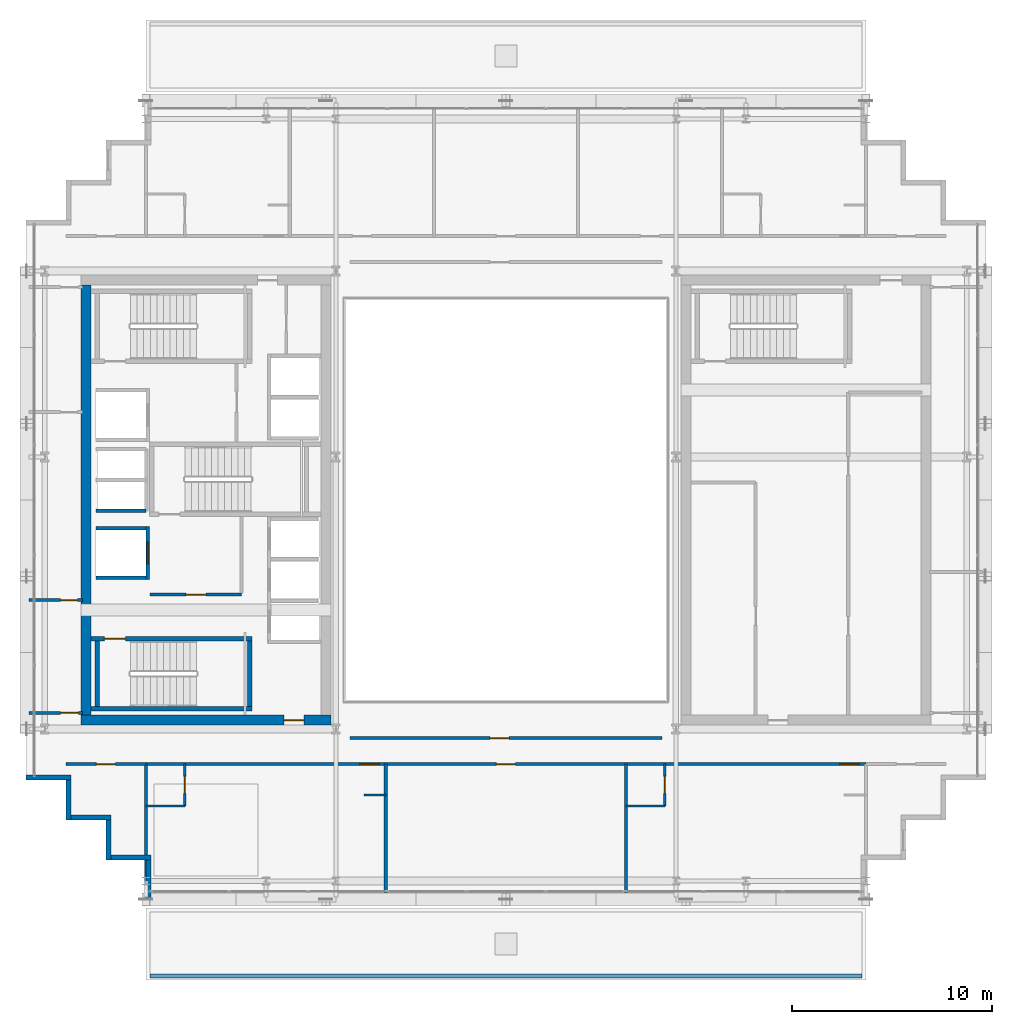
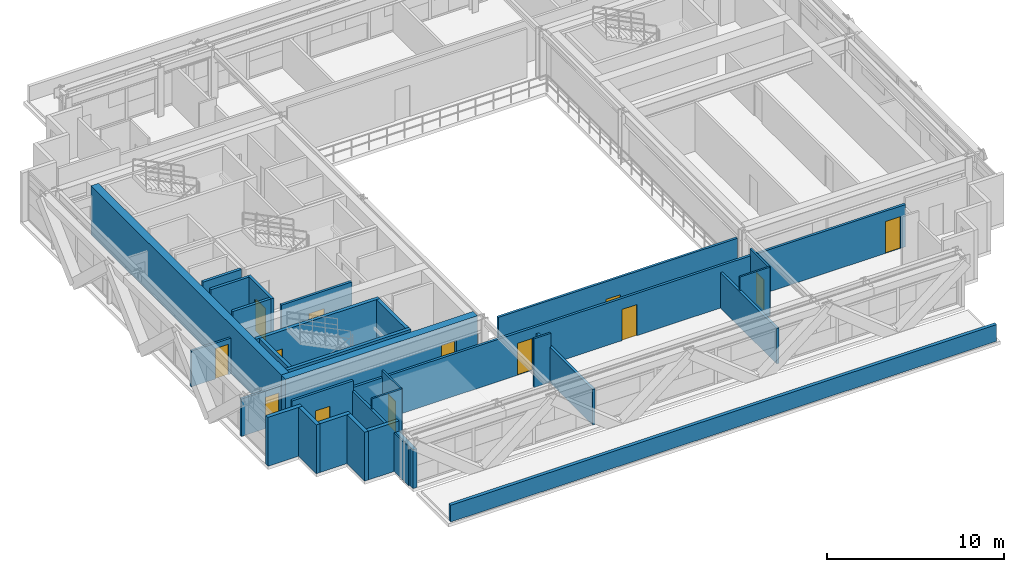
# One storey, part 27 of 34: 31 walls, 13 doors, 13 openings.
"""IFC4 building model written with IfcOpenShell, lengths in metres."""

from ifc_helpers import new_model, si_unit, direction, frame, frame_2d, origin, place, context, subcontext, project, spatial, rectangle, extrude, source, transform, mapped, material, layer, layer_set, type_object, element, fill, save


model = new_model("IFC4")

# Units and contexts
model_context = context("Model", 3, precision=1e-05, world=origin(), true_north=direction((0.0, 1.0)))
body_context = subcontext(model_context, "Body", "Model", "MODEL_VIEW")
ifc_project = project(units=[si_unit("LENGTHUNIT", "METRE"), si_unit("AREAUNIT", "SQUARE_METRE"), si_unit("VOLUMEUNIT", "CUBIC_METRE"), si_unit("PLANEANGLEUNIT", "RADIAN"), si_unit("MASSUNIT", "GRAM", prefix="KILO")], contexts=[model_context])

# Site, building, storey
site_placement = place(None, origin())
site = spatial("IfcSite", under=ifc_project, at=site_placement, CompositionType="ELEMENT")
building_placement = place(site_placement, origin())
building = spatial("IfcBuilding", under=site, at=building_placement, Name="Ocotamira Hotel", CompositionType="ELEMENT")
storey_placement = place(building_placement, frame((0.0, 0.0, 163.199951171875)))
storey = spatial("IfcBuildingStorey", under=building, at=storey_placement, Name="L40", CompositionType="ELEMENT", Elevation=163.199951171875)

# Wall, opening, door
ifc_material_1 = material(Name="Concrete C50/60", Category="concrete")
ifc_layer_1 = layer(ifc_material_1, 0.5)
ifc_layer_set_1 = layer_set([ifc_layer_1], Name="Concrete C50/60")
wall_type_1 = type_object("IfcWallType", Name="WL-CORE-500", PredefinedType="SHEAR", material=ifc_layer_set_1)
wall_1_placement = place(storey_placement, frame((10.75, 15.0, 0.0), z_axis=(0.0, 0.0, 1.0), x_axis=(1.0, 0.0, 0.0)))
wall_1 = element("IfcWall", 1, at=wall_1_placement, inside=storey, type_object=wall_type_1, Name="L40 Shear Core Wall WCORE-S", PredefinedType="SHEAR", context=body_context, shape_type="SweptSolid", body=[
    extrude(rectangle(XDim=12.5, YDim=0.5, at=frame_2d((6.25, 0.0))), origin(), (0.0, 0.0, 1.0), 3.3701171875),
])
opening_1_placement = place(wall_1_placement, frame((10.14990234375, 0.0, 0.0)))
opening_1 = element("IfcOpeningElement", 2, at=opening_1_placement, cuts=wall_1, Name="Opening D-FR2", PredefinedType="OPENING", context=body_context, shape_type="SweptSolid", body=[
    extrude(rectangle(XDim=1.0, YDim=2.14990234375, at=frame_2d((0.5, 1.074951171875))), frame((0.0, 0.260009765625, 0.0), z_axis=(0.0, -1.0, 0.0), x_axis=(1.0, 0.0, 0.0)), (0.0, 0.0, 1.0), 0.52001953125),
])
ifc_material_2 = material(Name="Fire-rated acoustic timber-veneer door", Category="wood")
door_type_1 = type_object("IfcDoorType", Name="DR-FIRE-1000", OperationType="NOTDEFINED", PredefinedType="DOOR", material=ifc_material_2)
shared_shape_1 = source(origin(), body_context, "Body", "SweptSolid", [
    extrude(rectangle(XDim=1.0, YDim=2.14990234375, at=frame_2d((0.5, 1.074951171875))), frame((0.0, 0.02490234375, 0.0), z_axis=(0.0, -1.0, 0.0), x_axis=(1.0, 0.0, 0.0)), (0.0, 0.0, 1.0), 0.050048828125),
])
door_1_placement = place(opening_1_placement, origin())
door_1 = element("IfcDoor", 3, at=door_1_placement, inside=storey, type_object=door_type_1, Name="L40 Door ID-L40-WLOB-S-D [ID-L40-WLOB-S-D]", OperationType="SINGLE_SWING_LEFT", OverallHeight=2.14990234375, OverallWidth=1.0, PredefinedType="DOOR", context=body_context, shape_type="MappedRepresentation", body=[
    mapped(shared_shape_1, transform((0.0, 0.0, 0.0), scale=1.0)),
])
fill(opening_1, door_1)

# Walls
wall_2_placement = place(storey_placement, frame((11.0, 15.25, 0.0), z_axis=(0.0, 0.0, 1.0), x_axis=(0.0, 1.0, 0.0)))
element("IfcWall", 4, at=wall_2_placement, inside=storey, type_object=wall_type_1, Name="L40 Shear Core Wall WCORE-W", PredefinedType="SHEAR", context=body_context, shape_type="SweptSolid", body=[
    extrude(rectangle(XDim=21.5, YDim=0.5, at=frame_2d((10.75, 0.0))), origin(), (0.0, 0.0, 1.0), 3.3701171875),
])
ifc_material_3 = material(Name="Precast concrete C45/55", Category="concrete")
ifc_layer_2 = layer(ifc_material_3, 0.25)
ifc_layer_set_2 = layer_set([ifc_layer_2], Name="Precast concrete C45/55")
wall_type_2 = type_object("IfcWallType", Name="WL-EXT-SER-250", PredefinedType="SOLIDWALL", material=ifc_layer_set_2)
wall_3_placement = place(storey_placement, frame((8.0, 12.125, 0.0), z_axis=(0.0, 0.0, 1.0), x_axis=(1.0, 0.0, 0.0)))
element("IfcWall", 5, at=wall_3_placement, inside=storey, type_object=wall_type_2, Name="L40 Serrated Corner Wall 19", PredefinedType="SOLIDWALL", context=body_context, shape_type="SweptSolid", body=[
    extrude(rectangle(XDim=2.25, YDim=0.25, at=frame_2d((1.125, 0.0))), origin(), (0.0, 0.0, 1.0), 3.3701171875),
])
for number, where, z_axis, x_axis, name in (
    (6, (10.125, 12.0, 0.0), (0.0, 0.0, 1.0), (0.0, -1.0, 0.0), "L40 Serrated Corner Wall 20"),
    (7, (10.25, 10.125, 0.0), (0.0, 0.0, 1.0), (1.0, 0.0, 0.0), "L40 Serrated Corner Wall 21"),
    (8, (12.125, 10.0, 0.0), (0.0, 0.0, 1.0), (0.0, -1.0, 0.0), "L40 Serrated Corner Wall 22"),
    (9, (12.25, 8.125, 0.0), (0.0, 0.0, 1.0), (1.0, 0.0, 0.0), "L40 Serrated Corner Wall 23"),
):
    element("IfcWall", number, at=place(storey_placement, frame(where, z_axis=z_axis, x_axis=x_axis)), inside=storey, type_object=wall_type_2, Name=name, PredefinedType="SOLIDWALL", context=body_context, shape_type="SweptSolid", body=[
        extrude(rectangle(XDim=2.0, YDim=0.25, at=frame_2d((1.0, 0.0))), origin(), (0.0, 0.0, 1.0), 3.3701171875),
    ])
wall_4_placement = place(storey_placement, frame((14.125, 8.0, 0.0), z_axis=(0.0, 0.0, 1.0), x_axis=(0.0, -1.0, 0.0)))
element("IfcWall", 10, at=wall_4_placement, inside=storey, type_object=wall_type_2, Name="L40 Serrated Corner Wall 24", PredefinedType="SOLIDWALL", context=body_context, shape_type="SweptSolid", body=[
    extrude(rectangle(XDim=2.0, YDim=0.25, at=frame_2d((1.0, 0.0))), origin(), (0.0, 0.0, 1.0), 2.677001953125),
])

# Wall, opening, door
ifc_material_4 = material(Name="Acoustic double-layer fire gypsum board partition", Category="gypsum")
ifc_layer_3 = layer(ifc_material_4, 0.159912109375)
ifc_layer_set_3 = layer_set([ifc_layer_3], Name="Acoustic double-layer fire gypsum board partition")
wall_type_3 = type_object("IfcWallType", Name="WL-FIRE-160", PredefinedType="PARTITIONING", material=ifc_layer_set_3)
wall_5_placement = place(storey_placement, frame((14.199951171875, 21.27001953125, 0.0), z_axis=(0.0, 0.0, 1.0), x_axis=(1.0, 0.0, 0.0)))
wall_5 = element("IfcWall", 11, at=wall_5_placement, inside=storey, type_object=wall_type_3, Name="L40 Interior Wall PW-L40-FSAE1-S", PredefinedType="PARTITIONING", context=body_context, shape_type="SweptSolid", body=[
    extrude(rectangle(XDim=4.580078125, YDim=0.159912109375, at=frame_2d((2.2900390625, 0.0))), origin(), (0.0, 0.0, 1.0), 3.3701171875),
])
opening_2_placement = place(wall_5_placement, frame((1.800048828125, 0.0, 0.0)))
opening_2 = element("IfcOpeningElement", 12, at=opening_2_placement, cuts=wall_5, Name="Opening D-FR2", PredefinedType="OPENING", context=body_context, shape_type="SweptSolid", body=[
    extrude(rectangle(XDim=1.0, YDim=2.14990234375, at=frame_2d((0.5, 1.074951171875))), frame((0.0, 0.08984375, 0.0), z_axis=(0.0, -1.0, 0.0), x_axis=(1.0, 0.0, 0.0)), (0.0, 0.0, 1.0), 0.179931640625),
])
door_2_placement = place(opening_2_placement, origin())
door_2 = element("IfcDoor", 13, at=door_2_placement, inside=storey, type_object=door_type_1, Name="L40 Door ID-L40-FSAE1-D [ID-L40-FSAE1-D]", OperationType="SINGLE_SWING_LEFT", OverallHeight=2.14990234375, OverallWidth=1.0, PredefinedType="DOOR", context=body_context, shape_type="MappedRepresentation", body=[
    mapped(shared_shape_1, transform((0.0, 0.0, 0.0), scale=1.0)),
])
fill(opening_2, door_2)

wall_6_placement = place(storey_placement, frame((10.0, 12.800048828125, 0.0), z_axis=(0.0, 0.0, 1.0), x_axis=(1.0, 0.0, 0.0)))
wall_6 = element("IfcWall", 14, at=wall_6_placement, inside=storey, type_object=wall_type_3, Name="L40 Interior Wall PW-L40-Z3D-CSW-CW", PredefinedType="PARTITIONING", context=body_context, shape_type="SweptSolid", body=[
    extrude(rectangle(XDim=4.0, YDim=0.159912109375, at=frame_2d((2.0, 0.0))), origin(), (0.0, 0.0, 1.0), 3.3701171875),
])
opening_3_placement = place(wall_6_placement, frame((1.52001953125, 0.0, 0.0)))
opening_3 = element("IfcOpeningElement", 15, at=opening_3_placement, cuts=wall_6, Name="Opening D-SV4", PredefinedType="OPENING", context=body_context, shape_type="SweptSolid", body=[
    extrude(rectangle(XDim=0.9599609375, YDim=2.14990234375, at=frame_2d((0.47998046875, 1.074951171875))), frame((0.0, 0.08984375, 0.0), z_axis=(0.0, -1.0, 0.0), x_axis=(1.0, 0.0, 0.0)), (0.0, 0.0, 1.0), 0.179931640625),
])
ifc_material_5 = material(Name="Fire-rated accessible walnut salon door", Category="wood")
door_type_2 = type_object("IfcDoorType", Name="DR-SERV-960", OperationType="NOTDEFINED", PredefinedType="DOOR", material=ifc_material_5)
shared_shape_2 = source(origin(), body_context, "Body", "SweptSolid", [
    extrude(rectangle(XDim=0.9599609375, YDim=2.14990234375, at=frame_2d((0.47998046875, 1.074951171875))), frame((0.0, 0.02490234375, 0.0), z_axis=(0.0, -1.0, 0.0), x_axis=(1.0, 0.0, 0.0)), (0.0, 0.0, 1.0), 0.050048828125),
])
door_3_placement = place(opening_3_placement, origin())
door_3 = element("IfcDoor", 16, at=door_3_placement, inside=storey, type_object=door_type_2, Name="L40 Door ID-L40-Z3D-CSW-CD [ID-L40-Z3D-CSW-CD]", OperationType="SINGLE_SWING_LEFT", OverallHeight=2.14990234375, OverallWidth=0.9599609375, PredefinedType="DOOR", context=body_context, shape_type="MappedRepresentation", body=[
    mapped(shared_shape_2, transform((0.0, 0.0, 0.0), scale=1.0)),
])
fill(opening_3, door_3)

# Wall, openings, doors
wall_7_placement = place(storey_placement, frame((14.0, 12.800048828125, 0.0), z_axis=(0.0, 0.0, 1.0), x_axis=(1.0, 0.0, 0.0)))
wall_7 = element("IfcWall", 17, at=wall_7_placement, inside=storey, type_object=wall_type_3, Name="L40 Interior Wall PW-L40-Z3DS-CORRW", PredefinedType="PARTITIONING", context=body_context, shape_type="SweptSolid", body=[
    extrude(rectangle(XDim=36.0, YDim=0.159912109375, at=frame_2d((18.0, 0.0))), origin(), (0.0, 0.0, 1.0), 2.9130859375),
])
opening_4_placement = place(wall_7_placement, frame((10.699951171875, 0.0, 0.0)))
opening_4 = element("IfcOpeningElement", 18, at=opening_4_placement, cuts=wall_7, Name="Opening D-GR2", PredefinedType="OPENING", context=body_context, shape_type="SweptSolid", body=[
    extrude(rectangle(XDim=0.97998046875, YDim=2.199951171875, at=frame_2d((0.489990234375, 1.10009765625))), frame((0.0, 0.08984375, 0.0), z_axis=(0.0, -1.0, 0.0), x_axis=(1.0, 0.0, 0.0)), (0.0, 0.0, 1.0), 0.179931640625),
])
opening_5_placement = place(wall_7_placement, frame((17.52001953125, 0.0, 0.0)))
opening_5 = element("IfcOpeningElement", 19, at=opening_5_placement, cuts=wall_7, Name="Opening D-SV4", PredefinedType="OPENING", context=body_context, shape_type="SweptSolid", body=[
    extrude(rectangle(XDim=0.9599609375, YDim=2.14990234375, at=frame_2d((0.47998046875, 1.074951171875))), frame((0.0, 0.08984375, 0.0), z_axis=(0.0, -1.0, 0.0), x_axis=(1.0, 0.0, 0.0)), (0.0, 0.0, 1.0), 0.179931640625),
])
opening_6_placement = place(wall_7_placement, frame((34.699951171875, 0.0, 0.0)))
opening_6 = element("IfcOpeningElement", 20, at=opening_6_placement, cuts=wall_7, Name="Opening D-GR2", PredefinedType="OPENING", context=body_context, shape_type="SweptSolid", body=[
    extrude(rectangle(XDim=0.97998046875, YDim=2.199951171875, at=frame_2d((0.489990234375, 1.10009765625))), frame((0.0, 0.08984375, 0.0), z_axis=(0.0, -1.0, 0.0), x_axis=(1.0, 0.0, 0.0)), (0.0, 0.0, 1.0), 0.179931640625),
])
door_4_placement = place(opening_5_placement, origin())
door_4 = element("IfcDoor", 21, at=door_4_placement, inside=storey, type_object=door_type_2, Name="L40 Door ID-L40-Z3DS-AMD2 [ID-L40-Z3DS-AMD2]", OperationType="SINGLE_SWING_RIGHT", OverallHeight=2.14990234375, OverallWidth=0.9599609375, PredefinedType="DOOR", context=body_context, shape_type="MappedRepresentation", body=[
    mapped(shared_shape_2, transform((0.0, 0.0, 0.0), scale=1.0)),
])
fill(opening_5, door_4)
ifc_material_6 = material(Name="Solid-core walnut grand-suite entrance fire door", Category="wood")
door_type_3 = type_object("IfcDoorType", Name="DR-GUEST-980", OperationType="NOTDEFINED", PredefinedType="DOOR", material=ifc_material_6)
shared_shape_3 = source(origin(), body_context, "Body", "SweptSolid", [
    extrude(rectangle(XDim=0.97998046875, YDim=2.199951171875, at=frame_2d((0.489990234375, 1.10009765625))), frame((0.0, 0.02490234375, 0.0), z_axis=(0.0, -1.0, 0.0), x_axis=(1.0, 0.0, 0.0)), (0.0, 0.0, 1.0), 0.050048828125),
])
door_5_placement = place(opening_4_placement, origin())
door_5 = element("IfcDoor", 22, at=door_5_placement, inside=storey, type_object=door_type_3, Name="L40 Door ID-L40-Z3DS-RMD1 [ID-L40-Z3DS-RMD1]", OperationType="SINGLE_SWING_LEFT", OverallHeight=2.199951171875, OverallWidth=0.97998046875, PredefinedType="DOOR", context=body_context, shape_type="MappedRepresentation", body=[
    mapped(shared_shape_3, transform((0.0, 0.0, 0.0), scale=1.0)),
])
fill(opening_4, door_5)
door_6_placement = place(opening_6_placement, origin())
door_6 = element("IfcDoor", 23, at=door_6_placement, inside=storey, type_object=door_type_3, Name="L40 Door ID-L40-Z3DS-RMD3 [ID-L40-Z3DS-RMD3]", OperationType="SINGLE_SWING_LEFT", OverallHeight=2.199951171875, OverallWidth=0.97998046875, PredefinedType="DOOR", context=body_context, shape_type="MappedRepresentation", body=[
    mapped(shared_shape_3, transform((0.0, 0.0, 0.0), scale=1.0)),
])
fill(opening_6, door_6)

# Wall
ifc_layer_4 = layer(ifc_material_3, 0.219970703125)
ifc_layer_set_4 = layer_set([ifc_layer_4], Name="Precast concrete C45/55")
wall_type_4 = type_object("IfcWallType", Name="WL-PARA-220", PredefinedType="PARAPET", material=ifc_layer_set_4)
wall_8_placement = place(storey_placement, frame((14.199951171875, 2.199951171875, 0.0), z_axis=(0.0, 0.0, 1.0), x_axis=(1.0, 0.0, 0.0)))
element("IfcWall", 24, at=wall_8_placement, inside=storey, type_object=wall_type_4, Name="L40 Roof Parapet Wall Z3S", PredefinedType="PARAPET", context=body_context, shape_type="SweptSolid", body=[
    extrude(rectangle(XDim=35.60009765625, YDim=0.219970703125, at=frame_2d((17.800048828125, 0.0))), origin(), (0.0, 0.0, 1.0), 1.150146484375),
])

# Wall, opening, door
ifc_material_7 = material(Name="Moisture-resistant en-suite tile and gypsum partition", Category="gypsum")
ifc_layer_5 = layer(ifc_material_7, 0.1201171875)
ifc_layer_set_5 = layer_set([ifc_layer_5], Name="Moisture-resistant en-suite tile and gypsum partition")
wall_type_5 = type_object("IfcWallType", Name="WL-PART-120", PredefinedType="PARTITIONING", material=ifc_layer_set_5)
wall_9_placement = place(storey_placement, frame((15.949951171875, 10.699951171875, 0.0), z_axis=(0.0, 0.0, 1.0), x_axis=(0.0, 1.0, 0.0)))
wall_9 = element("IfcWall", 25, at=wall_9_placement, inside=storey, type_object=wall_type_5, Name="L40 Interior Wall PW-L40-Z3DS-BAE1", PredefinedType="PARTITIONING", context=body_context, shape_type="SweptSolid", body=[
    extrude(rectangle(XDim=2.10009765625, YDim=0.1201171875, at=frame_2d((1.050048828125, 0.0))), origin(), (0.0, 0.0, 1.0), 3.3701171875),
])
opening_7_placement = place(wall_9_placement, frame((0.6201171875, 0.0, 0.0)))
opening_7 = element("IfcOpeningElement", 26, at=opening_7_placement, cuts=wall_9, Name="Opening D-BA1", PredefinedType="OPENING", context=body_context, shape_type="SweptSolid", body=[
    extrude(rectangle(XDim=0.860107421875, YDim=2.10009765625, at=frame_2d((0.43017578125, 1.050048828125))), frame((0.0, 0.070068359375, 0.0), z_axis=(0.0, -1.0, 0.0), x_axis=(1.0, 0.0, 0.0)), (0.0, 0.0, 1.0), 0.14013671875),
])
ifc_material_8 = material(Name="Moisture-sealed en-suite timber door", Category="wood")
door_type_4 = type_object("IfcDoorType", Name="DR-BATH-860", OperationType="NOTDEFINED", PredefinedType="DOOR", material=ifc_material_8)
shared_shape_4 = source(origin(), body_context, "Body", "SweptSolid", [
    extrude(rectangle(XDim=0.860107421875, YDim=2.10009765625, at=frame_2d((0.43017578125, 1.050048828125))), frame((0.0, 0.02490234375, 0.0), z_axis=(0.0, -1.0, 0.0), x_axis=(1.0, 0.0, 0.0)), (0.0, 0.0, 1.0), 0.050048828125),
])
door_7_placement = place(opening_7_placement, origin())
door_7 = element("IfcDoor", 27, at=door_7_placement, inside=storey, type_object=door_type_4, Name="L40 Door ID-L40-Z3DS-BAD1 [ID-L40-Z3DS-BAD1]", OperationType="SINGLE_SWING_RIGHT", OverallHeight=2.10009765625, OverallWidth=0.860107421875, PredefinedType="DOOR", context=body_context, shape_type="MappedRepresentation", body=[
    mapped(shared_shape_4, transform((0.0, 0.0, 0.0), scale=1.0)),
])
fill(opening_7, door_7)

# Walls
wall_10_placement = place(storey_placement, frame((14.0, 10.699951171875, 0.0), z_axis=(0.0, 0.0, 1.0), x_axis=(1.0, 0.0, 0.0)))
element("IfcWall", 28, at=wall_10_placement, inside=storey, type_object=wall_type_5, Name="L40 Interior Wall PW-L40-Z3DS-BAS1", PredefinedType="PARTITIONING", context=body_context, shape_type="SweptSolid", body=[
    extrude(rectangle(XDim=1.949951171875, YDim=0.1201171875, at=frame_2d((0.97509765625, 0.0))), origin(), (0.0, 0.0, 1.0), 3.3701171875),
])
wall_11_placement = place(storey_placement, frame((24.89990234375, 11.25, 0.0), z_axis=(0.0, 0.0, 1.0), x_axis=(1.0, 0.0, 0.0)))
element("IfcWall", 29, at=wall_11_placement, inside=storey, type_object=wall_type_5, Name="L40 Interior Wall PW-L40-Z3DS-DRN1", PredefinedType="PARTITIONING", context=body_context, shape_type="SweptSolid", body=[
    extrude(rectangle(XDim=1.10009765625, YDim=0.1201171875, at=frame_2d((0.550048828125, 0.0))), origin(), (0.0, 0.0, 1.0), 3.3701171875),
])

# Wall, opening, door
wall_12_placement = place(storey_placement, frame((39.949951171875, 10.699951171875, 0.0), z_axis=(0.0, 0.0, 1.0), x_axis=(0.0, 1.0, 0.0)))
wall_12 = element("IfcWall", 30, at=wall_12_placement, inside=storey, type_object=wall_type_5, Name="L40 Interior Wall PW-L40-Z3DS-BAE3", PredefinedType="PARTITIONING", context=body_context, shape_type="SweptSolid", body=[
    extrude(rectangle(XDim=2.10009765625, YDim=0.1201171875, at=frame_2d((1.050048828125, 0.0))), origin(), (0.0, 0.0, 1.0), 3.3701171875),
])
opening_8_placement = place(wall_12_placement, frame((0.6201171875, 0.0, 0.0)))
opening_8 = element("IfcOpeningElement", 31, at=opening_8_placement, cuts=wall_12, Name="Opening D-BA1", PredefinedType="OPENING", context=body_context, shape_type="SweptSolid", body=[
    extrude(rectangle(XDim=0.860107421875, YDim=2.10009765625, at=frame_2d((0.43017578125, 1.050048828125))), frame((0.0, 0.070068359375, 0.0), z_axis=(0.0, -1.0, 0.0), x_axis=(1.0, 0.0, 0.0)), (0.0, 0.0, 1.0), 0.14013671875),
])
door_8_placement = place(opening_8_placement, origin())
door_8 = element("IfcDoor", 32, at=door_8_placement, inside=storey, type_object=door_type_4, Name="L40 Door ID-L40-Z3DS-BAD3 [ID-L40-Z3DS-BAD3]", OperationType="SINGLE_SWING_RIGHT", OverallHeight=2.10009765625, OverallWidth=0.860107421875, PredefinedType="DOOR", context=body_context, shape_type="MappedRepresentation", body=[
    mapped(shared_shape_4, transform((0.0, 0.0, 0.0), scale=1.0)),
])
fill(opening_8, door_8)

# Wall
wall_13_placement = place(storey_placement, frame((38.0, 10.699951171875, 0.0), z_axis=(0.0, 0.0, 1.0), x_axis=(1.0, 0.0, 0.0)))
element("IfcWall", 33, at=wall_13_placement, inside=storey, type_object=wall_type_5, Name="L40 Interior Wall PW-L40-Z3DS-BAS3", PredefinedType="PARTITIONING", context=body_context, shape_type="SweptSolid", body=[
    extrude(rectangle(XDim=1.949951171875, YDim=0.1201171875, at=frame_2d((0.97509765625, 0.0))), origin(), (0.0, 0.0, 1.0), 3.3701171875),
])

# Wall, opening, door
ifc_material_9 = material(Name="Acoustic hospitality gypsum board partition", Category="gypsum")
ifc_layer_6 = layer(ifc_material_9, 0.14208984375)
ifc_layer_set_6 = layer_set([ifc_layer_6], Name="Acoustic hospitality gypsum board partition")
wall_type_6 = type_object("IfcWallType", Name="WL-PART-142", PredefinedType="PARTITIONING", material=ifc_layer_set_6)
wall_14_placement = place(storey_placement, frame((8.159912109375, 21.0, 0.0), z_axis=(0.0, 0.0, 1.0), x_axis=(1.0, 0.0, 0.0)))
wall_14 = element("IfcWall", 34, at=wall_14_placement, inside=storey, type_object=wall_type_6, Name="L40 Interior Wall PW-L40-Z3D-WF-DV1", PredefinedType="PARTITIONING", context=body_context, shape_type="SweptSolid", body=[
    extrude(rectangle(XDim=2.66015625, YDim=0.14208984375, at=frame_2d((1.330078125, 0.0))), origin(), (0.0, 0.0, 1.0), 2.469970703125),
])
opening_9_placement = place(wall_14_placement, frame((1.580078125, 0.0, 0.0)))
opening_9 = element("IfcOpeningElement", 35, at=opening_9_placement, cuts=wall_14, Name="Opening D-SV1", PredefinedType="OPENING", context=body_context, shape_type="SweptSolid", body=[
    extrude(rectangle(XDim=0.840087890625, YDim=2.10009765625, at=frame_2d((0.419921875, 1.050048828125))), frame((0.0, 0.0810546875, 0.0), z_axis=(0.0, -1.0, 0.0), x_axis=(1.0, 0.0, 0.0)), (0.0, 0.0, 1.0), 0.162109375),
])
ifc_material_10 = material(Name="Fire-rated painted steel service door", Category="steel")
door_type_5 = type_object("IfcDoorType", Name="DR-SERV-840", OperationType="NOTDEFINED", PredefinedType="DOOR", material=ifc_material_10)
shared_shape_5 = source(origin(), body_context, "Body", "SweptSolid", [
    extrude(rectangle(XDim=0.840087890625, YDim=2.10009765625, at=frame_2d((0.419921875, 1.050048828125))), frame((0.0, 0.02490234375, 0.0), z_axis=(0.0, -1.0, 0.0), x_axis=(1.0, 0.0, 0.0)), (0.0, 0.0, 1.0), 0.050048828125),
])
door_9_placement = place(opening_9_placement, origin())
door_9 = element("IfcDoor", 36, at=door_9_placement, inside=storey, type_object=door_type_5, Name="L40 Door ID-L40-Z3D-WF-DV1D [ID-L40-Z3D-WF-DV1D]", OperationType="SINGLE_SWING_LEFT", OverallHeight=2.10009765625, OverallWidth=0.840087890625, PredefinedType="DOOR", context=body_context, shape_type="MappedRepresentation", body=[
    mapped(shared_shape_5, transform((0.0, 0.0, 0.0), scale=1.0)),
])
fill(opening_9, door_9)

ifc_layer_7 = layer(ifc_material_9, 0.14990234375)
ifc_layer_set_7 = layer_set([ifc_layer_7], Name="Acoustic hospitality gypsum board partition")
wall_type_7 = type_object("IfcWallType", Name="WL-PART-150", PredefinedType="PARTITIONING", material=ifc_layer_set_7)
wall_15_placement = place(storey_placement, frame((24.199951171875, 14.10009765625, 0.0), z_axis=(0.0, 0.0, 1.0), x_axis=(1.0, 0.0, 0.0)))
wall_15 = element("IfcWall", 37, at=wall_15_placement, inside=storey, type_object=wall_type_7, Name="L40 Interior Wall PW-L40-Z3D-ATRSW", PredefinedType="PARTITIONING", context=body_context, shape_type="SweptSolid", body=[
    extrude(rectangle(XDim=15.60009765625, YDim=0.14990234375, at=frame_2d((7.800048828125, 0.0))), origin(), (0.0, 0.0, 1.0), 3.3701171875),
])
opening_10_placement = place(wall_15_placement, frame((7.0, 0.0, 0.0)))
opening_10 = element("IfcOpeningElement", 38, at=opening_10_placement, cuts=wall_15, Name="Opening D-SV4", PredefinedType="OPENING", context=body_context, shape_type="SweptSolid", body=[
    extrude(rectangle(XDim=0.9599609375, YDim=2.14990234375, at=frame_2d((0.47998046875, 1.074951171875))), frame((0.0, 0.0849609375, 0.0), z_axis=(0.0, -1.0, 0.0), x_axis=(1.0, 0.0, 0.0)), (0.0, 0.0, 1.0), 0.169921875),
])
door_10_placement = place(opening_10_placement, origin())
door_10 = element("IfcDoor", 39, at=door_10_placement, inside=storey, type_object=door_type_2, Name="L40 Door ID-L40-Z3D-ASD [ID-L40-Z3D-ASD]", OperationType="SINGLE_SWING_LEFT", OverallHeight=2.14990234375, OverallWidth=0.9599609375, PredefinedType="DOOR", context=body_context, shape_type="MappedRepresentation", body=[
    mapped(shared_shape_2, transform((0.0, 0.0, 0.0), scale=1.0)),
])
fill(opening_10, door_10)

wall_16_placement = place(storey_placement, frame((8.159912109375, 15.360107421875, 0.0), z_axis=(0.0, 0.0, 1.0), x_axis=(1.0, 0.0, 0.0)))
wall_16 = element("IfcWall", 40, at=wall_16_placement, inside=storey, type_object=wall_type_7, Name="L40 Interior Wall PW-L40-Z3D-WF-WS", PredefinedType="PARTITIONING", context=body_context, shape_type="SweptSolid", body=[
    extrude(rectangle(XDim=2.66015625, YDim=0.14990234375, at=frame_2d((1.330078125, 0.0))), origin(), (0.0, 0.0, 1.0), 2.591064453125),
])
opening_11_placement = place(wall_16_placement, frame((1.580078125, 0.0, 0.0)))
opening_11 = element("IfcOpeningElement", 41, at=opening_11_placement, cuts=wall_16, Name="Opening D-SV2", PredefinedType="OPENING", context=body_context, shape_type="SweptSolid", body=[
    extrude(rectangle(XDim=0.8798828125, YDim=2.14990234375, at=frame_2d((0.43994140625, 1.074951171875))), frame((0.0, 0.0849609375, 0.0), z_axis=(0.0, -1.0, 0.0), x_axis=(1.0, 0.0, 0.0)), (0.0, 0.0, 1.0), 0.169921875),
])
door_type_6 = type_object("IfcDoorType", Name="DR-SERV-880", OperationType="NOTDEFINED", PredefinedType="DOOR", material=ifc_material_10)
shared_shape_6 = source(origin(), body_context, "Body", "SweptSolid", [
    extrude(rectangle(XDim=0.8798828125, YDim=2.14990234375, at=frame_2d((0.43994140625, 1.074951171875))), frame((0.0, 0.02490234375, 0.0), z_axis=(0.0, -1.0, 0.0), x_axis=(1.0, 0.0, 0.0)), (0.0, 0.0, 1.0), 0.050048828125),
])
door_11_placement = place(opening_11_placement, origin())
door_11 = element("IfcDoor", 42, at=door_11_placement, inside=storey, type_object=door_type_6, Name="L40 Door ID-L40-Z3D-WF-DS [ID-L40-Z3D-WF-DS]", OperationType="SINGLE_SWING_LEFT", OverallHeight=2.14990234375, OverallWidth=0.8798828125, PredefinedType="DOOR", context=body_context, shape_type="MappedRepresentation", body=[
    mapped(shared_shape_6, transform((0.0, 0.0, 0.0), scale=1.0)),
])
fill(opening_11, door_11)

# Walls
ifc_material_11 = material(Name="Acoustic double-stud hospitality gypsum partition", Category="gypsum")
ifc_layer_8 = layer(ifc_material_11, 0.159912109375)
ifc_layer_set_8 = layer_set([ifc_layer_8], Name="Acoustic double-stud hospitality gypsum partition")
wall_type_8 = type_object("IfcWallType", Name="WL-PART-160", PredefinedType="PARTITIONING", material=ifc_layer_set_8)
wall_17_placement = place(storey_placement, frame((14.0, 6.360107421875, 0.0), z_axis=(0.0, 0.0, 1.0), x_axis=(0.0, 1.0, 0.0)))
element("IfcWall", 43, at=wall_17_placement, inside=storey, type_object=wall_type_8, Name="L40 Interior Wall PW-L40-Z3DS-PW0", PredefinedType="PARTITIONING", context=body_context, shape_type="SweptSolid", body=[
    extrude(rectangle(XDim=6.43994140625, YDim=0.159912109375, at=frame_2d((3.219970703125, 0.0))), origin(), (0.0, 0.0, 1.0), 2.677001953125),
])
wall_18_placement = place(storey_placement, frame((38.0, 6.360107421875, 0.0), z_axis=(0.0, 0.0, 1.0), x_axis=(0.0, 1.0, 0.0)))
element("IfcWall", 44, at=wall_18_placement, inside=storey, type_object=wall_type_8, Name="L40 Interior Wall PW-L40-Z3DS-PW2", PredefinedType="PARTITIONING", context=body_context, shape_type="SweptSolid", body=[
    extrude(rectangle(XDim=6.43994140625, YDim=0.159912109375, at=frame_2d((3.219970703125, 0.0))), origin(), (0.0, 0.0, 1.0), 2.443115234375),
])
ifc_material_12 = material(Name="Double-stud suite party gypsum partition", Category="gypsum")
ifc_layer_9 = layer(ifc_material_12, 0.175048828125)
ifc_layer_set_9 = layer_set([ifc_layer_9], Name="Double-stud suite party gypsum partition")
wall_type_9 = type_object("IfcWallType", Name="WL-PART-175", PredefinedType="PARTITIONING", material=ifc_layer_set_9)
wall_19_placement = place(storey_placement, frame((26.0, 6.360107421875, 0.0), z_axis=(0.0, 0.0, 1.0), x_axis=(0.0, 1.0, 0.0)))
element("IfcWall", 45, at=wall_19_placement, inside=storey, type_object=wall_type_9, Name="L40 Interior Wall PW-L40-Z3DS-PW1", PredefinedType="PARTITIONING", context=body_context, shape_type="SweptSolid", body=[
    extrude(rectangle(XDim=6.43994140625, YDim=0.175048828125, at=frame_2d((3.219970703125, 0.0))), origin(), (0.0, 0.0, 1.0), 2.443115234375),
])
ifc_material_13 = material(Name="Fire-rated gypsum shaftliner board assembly", Category="gypsum")
ifc_layer_10 = layer(ifc_material_13, 0.179931640625)
ifc_layer_set_10 = layer_set([ifc_layer_10], Name="Fire-rated gypsum shaftliner board assembly")
wall_type_10 = type_object("IfcWallType", Name="WL-SHAFT-180", PredefinedType="SOLIDWALL", material=ifc_layer_set_10)
for number, where, z_axis, x_axis, name in (
    (46, (11.5, 22.110107421875, 0.0), (0.0, 0.0, 1.0), (1.0, 0.0, 0.0), "L40 Interior Wall PW-L40-LFW-LF-FSAE1-S"),
    (47, (11.5, 24.590087890625, 0.0), (0.0, 0.0, 1.0), (1.0, 0.0, 0.0), "L40 Interior Wall PW-L40-LFW-LF-FSAE1-N"),
):
    element("IfcWall", number, at=place(storey_placement, frame(where, z_axis=z_axis, x_axis=x_axis)), inside=storey, type_object=wall_type_10, Name=name, PredefinedType="SOLIDWALL", context=body_context, shape_type="SweptSolid", body=[
        extrude(rectangle(XDim=2.5, YDim=0.179931640625, at=frame_2d((1.25, 0.0))), origin(), (0.0, 0.0, 1.0), 3.3701171875),
    ])

# Wall, opening, door
wall_20_placement = place(storey_placement, frame((14.090087890625, 22.02001953125, 0.0), z_axis=(0.0, 0.0, 1.0), x_axis=(0.0, 1.0, 0.0)))
wall_20 = element("IfcWall", 48, at=wall_20_placement, inside=storey, type_object=wall_type_10, Name="L40 Interior Wall PW-L40-LFW-LF-FSAE1-E", PredefinedType="SOLIDWALL", context=body_context, shape_type="SweptSolid", body=[
    extrude(rectangle(XDim=2.659912109375, YDim=0.179931640625, at=frame_2d((1.330078125, 0.0))), origin(), (0.0, 0.0, 1.0), 3.3701171875),
])
opening_12_placement = place(wall_20_placement, frame((0.780029296875, 0.0, 0.0)))
opening_12 = element("IfcOpeningElement", 49, at=opening_12_placement, cuts=wall_20, Name="Opening LD-LF-FSAE1", PredefinedType="OPENING", context=body_context, shape_type="SweptSolid", body=[
    extrude(rectangle(XDim=1.10009765625, YDim=2.199951171875, at=frame_2d((0.550048828125, 1.10009765625))), frame((0.0, 0.10009765625, 0.0), z_axis=(0.0, -1.0, 0.0), x_axis=(1.0, 0.0, 0.0)), (0.0, 0.0, 1.0), 0.199951171875),
])
ifc_material_14 = material(Name="Brushed pale-metal stainless elevator landing door", Category="steel")
door_type_7 = type_object("IfcDoorType", Name="DR-LIFT-1100", OperationType="NOTDEFINED", PredefinedType="DOOR", material=ifc_material_14)
shared_shape_7 = source(origin(), body_context, "Body", "SweptSolid", [
    extrude(rectangle(XDim=1.10009765625, YDim=2.199951171875, at=frame_2d((0.550048828125, 1.10009765625))), frame((0.0, 0.02490234375, 0.0), z_axis=(0.0, -1.0, 0.0), x_axis=(1.0, 0.0, 0.0)), (0.0, 0.0, 1.0), 0.050048828125),
])
door_12_placement = place(opening_12_placement, origin())
door_12 = element("IfcDoor", 50, at=door_12_placement, inside=storey, type_object=door_type_7, Name="L40 Landing Door LD-LF-FSAE1 [ID-L40-LD-LF-FSAE1]", OperationType="DOUBLE_DOOR_SLIDING", OverallHeight=2.199951171875, OverallWidth=1.10009765625, PredefinedType="DOOR", context=body_context, shape_type="MappedRepresentation", body=[
    mapped(shared_shape_7, transform((0.0, 0.0, 0.0), scale=1.0)),
])
fill(opening_12, door_12)

# Walls
wall_21_placement = place(storey_placement, frame((11.5, 25.4599609375, 0.0), z_axis=(0.0, 0.0, 1.0), x_axis=(1.0, 0.0, 0.0)))
element("IfcWall", 51, at=wall_21_placement, inside=storey, type_object=wall_type_10, Name="L40 Interior Wall PW-L40-RSW-S", PredefinedType="SOLIDWALL", context=body_context, shape_type="SweptSolid", body=[
    extrude(rectangle(XDim=2.510009765625, YDim=0.179931640625, at=frame_2d((1.2548828125, 0.0))), origin(), (0.0, 0.0, 1.0), 3.3701171875),
])
ifc_layer_11 = layer(ifc_material_1, 0.219970703125)
ifc_layer_set_11 = layer_set([ifc_layer_11], Name="Concrete C50/60")
wall_type_11 = type_object("IfcWallType", Name="WL-STAIR-220", PredefinedType="SHEAR", material=ifc_layer_set_11)
wall_22_placement = place(storey_placement, frame((11.25, 15.56005859375, 0.0), z_axis=(0.0, 0.0, 1.0), x_axis=(1.0, 0.0, 0.0)))
element("IfcWall", 52, at=wall_22_placement, inside=storey, type_object=wall_type_11, Name="L40 Stair Shaft Structural Wall ST-1-S", PredefinedType="SHEAR", context=body_context, shape_type="SweptSolid", body=[
    extrude(rectangle(XDim=8.06005859375, YDim=0.219970703125, at=frame_2d((4.030029296875, 0.0))), origin(), (0.0, 0.0, 1.0), 3.400146484375),
])

# Wall, opening, door
wall_23_placement = place(storey_placement, frame((11.25, 19.06005859375, 0.0), z_axis=(0.0, 0.0, 1.0), x_axis=(1.0, 0.0, 0.0)))
wall_23 = element("IfcWall", 53, at=wall_23_placement, inside=storey, type_object=wall_type_11, Name="L40 Stair Shaft Structural Wall ST-1-N", PredefinedType="SHEAR", context=body_context, shape_type="SweptSolid", body=[
    extrude(rectangle(XDim=8.06005859375, YDim=0.219970703125, at=frame_2d((4.030029296875, 0.0))), origin(), (0.0, 0.0, 1.0), 3.400146484375),
])
opening_13_placement = place(wall_23_placement, frame((0.669921875, 0.0, 0.0)))
opening_13 = element("IfcOpeningElement", 54, at=opening_13_placement, cuts=wall_23, Name="Opening D-ST2", PredefinedType="OPENING", context=body_context, shape_type="SweptSolid", body=[
    extrude(rectangle(XDim=1.050048828125, YDim=2.14990234375, at=frame_2d((0.52490234375, 1.074951171875))), frame((0.0, 0.1201171875, 0.0), z_axis=(0.0, -1.0, 0.0), x_axis=(1.0, 0.0, 0.0)), (0.0, 0.0, 1.0), 0.239990234375),
])
ifc_material_15 = material(Name="Insulated painted hollow-metal fire exit door", Category="steel")
door_type_8 = type_object("IfcDoorType", Name="DR-STAIR-1050", OperationType="NOTDEFINED", PredefinedType="DOOR", material=ifc_material_15)
shared_shape_8 = source(origin(), body_context, "Body", "SweptSolid", [
    extrude(rectangle(XDim=1.050048828125, YDim=2.14990234375, at=frame_2d((0.52490234375, 1.074951171875))), frame((0.0, 0.02490234375, 0.0), z_axis=(0.0, -1.0, 0.0), x_axis=(1.0, 0.0, 0.0)), (0.0, 0.0, 1.0), 0.050048828125),
])
door_13_placement = place(opening_13_placement, origin())
door_13 = element("IfcDoor", 55, at=door_13_placement, inside=storey, type_object=door_type_8, Name="L40 Door ID-L40-STD-ST-1 [ID-L40-STD-ST-1]", OperationType="SINGLE_SWING_LEFT", OverallHeight=2.14990234375, OverallWidth=1.050048828125, PredefinedType="DOOR", context=body_context, shape_type="MappedRepresentation", body=[
    mapped(shared_shape_8, transform((0.0, 0.0, 0.0), scale=1.0)),
])
fill(opening_13, door_13)

# Walls
for number, where, z_axis, x_axis, name in (
    (56, (11.56005859375, 15.669921875, 0.0), (0.0, 0.0, 1.0), (0.0, 1.0, 0.0), "L40 Stair Shaft Structural Wall ST-1-W"),
    (57, (19.199951171875, 15.669921875, 0.0), (0.0, 0.0, 1.0), (0.0, 1.0, 0.0), "L40 Stair Shaft Structural Wall ST-1-E"),
):
    element("IfcWall", number, at=place(storey_placement, frame(where, z_axis=z_axis, x_axis=x_axis)), inside=storey, type_object=wall_type_11, Name=name, PredefinedType="SHEAR", context=body_context, shape_type="SweptSolid", body=[
        extrude(rectangle(XDim=3.280029296875, YDim=0.219970703125, at=frame_2d((1.64013671875, 0.0))), origin(), (0.0, 0.0, 1.0), 3.400146484375),
    ])

save(model, "model.ifc")
